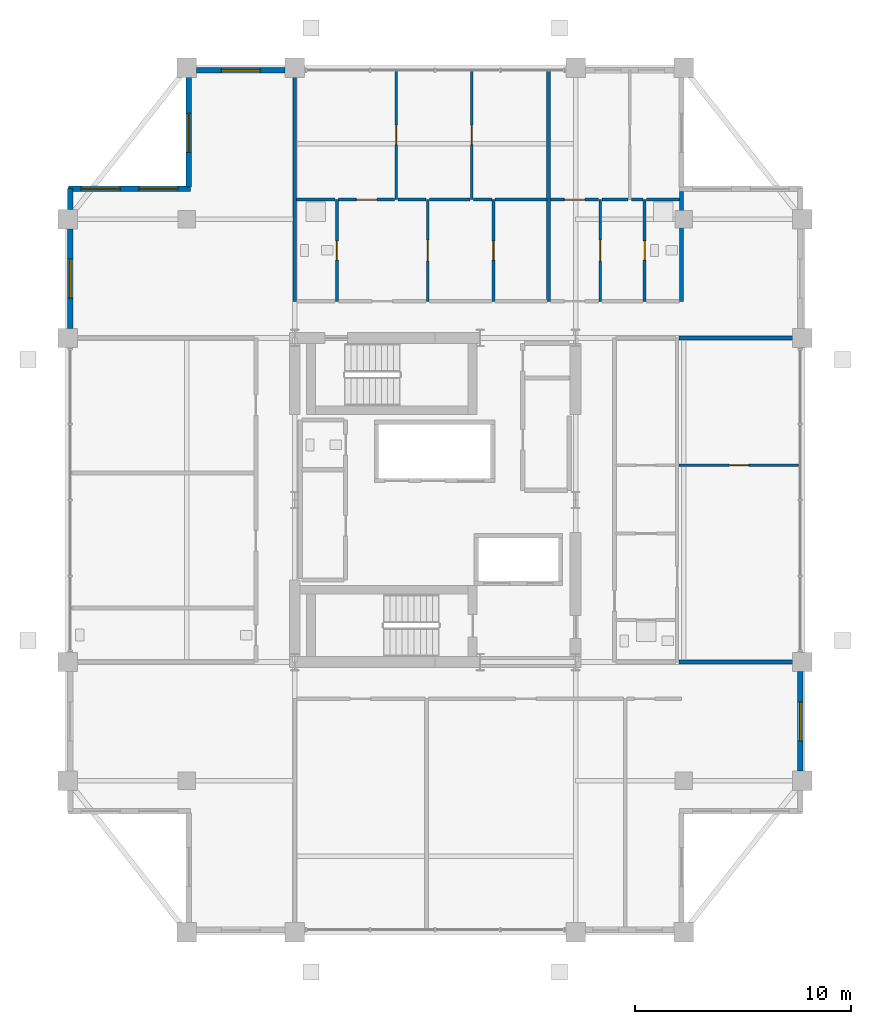
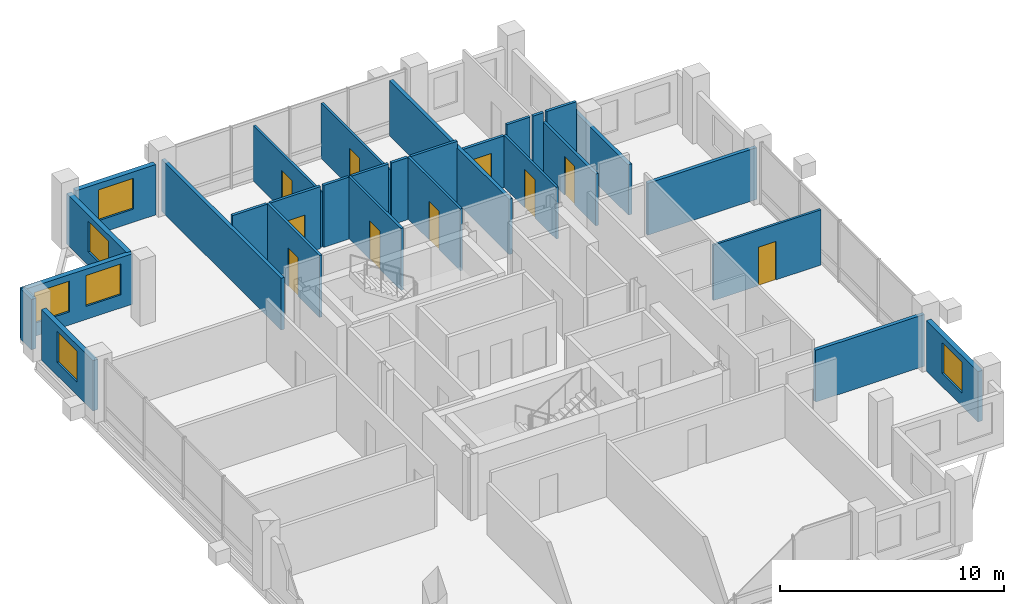
# One storey, part 18 of 21: 29 walls, 10 doors, 6 windows, 16 openings.
"""IFC4 building model written with IfcOpenShell, lengths in metres."""

from ifc_helpers import new_model, si_unit, direction, frame, frame_2d, origin, place, context, subcontext, project, spatial, rectangle, extrude, material, layer, layer_set, type_object, element, fill, save


model = new_model("IFC4")

# Units and contexts
model_context = context("Model", 3, precision=1e-05, world=origin(), true_north=direction((0.0, 1.0)))
body_context = subcontext(model_context, "Body", "Model", "MODEL_VIEW")
ifc_project = project(units=[si_unit("LENGTHUNIT", "METRE"), si_unit("AREAUNIT", "SQUARE_METRE"), si_unit("VOLUMEUNIT", "CUBIC_METRE"), si_unit("PLANEANGLEUNIT", "RADIAN"), si_unit("MASSUNIT", "GRAM", prefix="KILO")], contexts=[model_context])

# Site, building, storey
site_placement = place(None, origin())
site = spatial("IfcSite", under=ifc_project, at=site_placement, CompositionType="ELEMENT")
building_placement = place(site_placement, origin())
building = spatial("IfcBuilding", under=site, at=building_placement, Name="Barlavira Tower and Art Museum", CompositionType="ELEMENT")
storey_placement = place(building_placement, frame((0.0, 0.0, 276.300048828125)))
storey = spatial("IfcBuildingStorey", under=building, at=storey_placement, Name="L72", CompositionType="ELEMENT", Elevation=276.300048828125)

# Wall, opening, door
ifc_material_1 = material(Name="Gypsum acoustic stud partition", Category="gypsum")
ifc_layer_1 = layer(ifc_material_1, 0.1201171875, Name="Gypsum acoustic stud partition")
ifc_layer_set_1 = layer_set([ifc_layer_1], Name="Gypsum acoustic stud partition")
wall_type_1 = type_object("IfcWallType", Name="Apartment Internal Acoustic Partition 120", PredefinedType="PARTITIONING", material=ifc_layer_set_1)
wall_1_placement = place(storey_placement, frame((-1.800048828125, 13.89990234375, 0.0), z_axis=(0.0, 0.0, 1.0), x_axis=(0.0, 1.0, 0.0)))
wall_1 = element("IfcWall", 1, at=wall_1_placement, inside=storey, type_object=wall_type_1, Name="L72 Partition Wall 7", PredefinedType="PARTITIONING", context=body_context, shape_type="SweptSolid", body=[
    extrude(rectangle(XDim=6.0, YDim=0.1201171875, at=frame_2d((3.0, 0.0))), origin(), (0.0, 0.0, 1.0), 3.01806640625),
])
opening_1_placement = place(wall_1_placement, frame((2.550048828125, 0.0, 0.0)))
opening_1 = element("IfcOpeningElement", 2, at=opening_1_placement, cuts=wall_1, Name="Opening D-01", PredefinedType="OPENING", context=body_context, shape_type="SweptSolid", body=[
    extrude(rectangle(XDim=0.89990234375, YDim=2.10009765625, at=frame_2d((0.449951171875, 1.050048828125))), frame((0.0, 0.070068359375, 0.0), z_axis=(0.0, -1.0, 0.0), x_axis=(1.0, 0.0, 0.0)), (0.0, 0.0, 1.0), 0.14013671875),
])
ifc_material_2 = material(Name="Engineered coastal hardwood", Category="wood")
door_type_1 = type_object("IfcDoorType", Name="Internal Bedroom Timber Flush Door 900x2100", OperationType="NOTDEFINED", PredefinedType="DOOR", material=ifc_material_2)
door_1_placement = place(opening_1_placement, origin())
door_1 = element("IfcDoor", 3, at=door_1_placement, inside=storey, type_object=door_type_1, Name="Apartment N1 Bedroom 1 Door", OperationType="SINGLE_SWING_RIGHT", OverallHeight=2.10009765625, OverallWidth=0.89990234375, PredefinedType="DOOR", context=body_context, shape_type="SweptSolid", body=[
    extrude(rectangle(XDim=0.89990234375, YDim=2.10009765625, at=frame_2d((0.449951171875, 1.050048828125))), frame((0.0, 0.02490234375, 0.0), z_axis=(0.0, -1.0, 0.0), x_axis=(1.0, 0.0, 0.0)), (0.0, 0.0, 1.0), 0.050048828125),
])
fill(opening_1, door_1)

wall_2_placement = place(storey_placement, frame((-0.35009765625, 9.199951171875, 0.0), z_axis=(0.0, 0.0, 1.0), x_axis=(0.0, 1.0, 0.0)))
wall_2 = element("IfcWall", 4, at=wall_2_placement, inside=storey, type_object=wall_type_1, Name="L72 Partition Wall 9", PredefinedType="PARTITIONING", context=body_context, shape_type="SweptSolid", body=[
    extrude(rectangle(XDim=4.699951171875, YDim=0.1201171875, at=frame_2d((2.35009765625, 0.0))), origin(), (0.0, 0.0, 1.0), 3.3798828125),
])
opening_2_placement = place(wall_2_placement, frame((1.875, 0.0, 0.0)))
opening_2 = element("IfcOpeningElement", 5, at=opening_2_placement, cuts=wall_2, Name="Opening D-02", PredefinedType="OPENING", context=body_context, shape_type="SweptSolid", body=[
    extrude(rectangle(XDim=0.949951171875, YDim=2.10009765625, at=frame_2d((0.47509765625, 1.050048828125))), frame((0.0, 0.070068359375, 0.0), z_axis=(0.0, -1.0, 0.0), x_axis=(1.0, 0.0, 0.0)), (0.0, 0.0, 1.0), 0.14013671875),
])
door_type_2 = type_object("IfcDoorType", Name="Living and Salon Glazed-Leaf Door 950x2100", OperationType="NOTDEFINED", PredefinedType="DOOR", material=ifc_material_2)
door_2_placement = place(opening_2_placement, origin())
door_2 = element("IfcDoor", 6, at=door_2_placement, inside=storey, type_object=door_type_2, Name="Apartment N1 Kitchen Door", OperationType="SINGLE_SWING_LEFT", OverallHeight=2.10009765625, OverallWidth=0.949951171875, PredefinedType="DOOR", context=body_context, shape_type="SweptSolid", body=[
    extrude(rectangle(XDim=0.949951171875, YDim=2.10009765625, at=frame_2d((0.47509765625, 1.050048828125))), frame((0.0, 0.02490234375, 0.0), z_axis=(0.0, -1.0, 0.0), x_axis=(1.0, 0.0, 0.0)), (0.0, 0.0, 1.0), 0.050048828125),
])
fill(opening_2, door_2)

wall_3_placement = place(storey_placement, frame((1.699951171875, 13.89990234375, 0.0), z_axis=(0.0, 0.0, 1.0), x_axis=(0.0, 1.0, 0.0)))
wall_3 = element("IfcWall", 7, at=wall_3_placement, inside=storey, type_object=wall_type_1, Name="L72 Partition Wall 10", PredefinedType="PARTITIONING", context=body_context, shape_type="SweptSolid", body=[
    extrude(rectangle(XDim=6.0, YDim=0.1201171875, at=frame_2d((3.0, 0.0))), origin(), (0.0, 0.0, 1.0), 3.01806640625),
])
opening_3_placement = place(wall_3_placement, frame((2.550048828125, 0.0, 0.0)))
opening_3 = element("IfcOpeningElement", 8, at=opening_3_placement, cuts=wall_3, Name="Opening D-01", PredefinedType="OPENING", context=body_context, shape_type="SweptSolid", body=[
    extrude(rectangle(XDim=0.89990234375, YDim=2.10009765625, at=frame_2d((0.449951171875, 1.050048828125))), frame((0.0, 0.070068359375, 0.0), z_axis=(0.0, -1.0, 0.0), x_axis=(1.0, 0.0, 0.0)), (0.0, 0.0, 1.0), 0.14013671875),
])
door_3_placement = place(opening_3_placement, origin())
door_3 = element("IfcDoor", 9, at=door_3_placement, inside=storey, type_object=door_type_1, Name="Apartment N1 Bedroom 2 Door", OperationType="SINGLE_SWING_LEFT", OverallHeight=2.10009765625, OverallWidth=0.89990234375, PredefinedType="DOOR", context=body_context, shape_type="SweptSolid", body=[
    extrude(rectangle(XDim=0.89990234375, YDim=2.10009765625, at=frame_2d((0.449951171875, 1.050048828125))), frame((0.0, 0.02490234375, 0.0), z_axis=(0.0, -1.0, 0.0), x_axis=(1.0, 0.0, 0.0)), (0.0, 0.0, 1.0), 0.050048828125),
])
fill(opening_3, door_3)

wall_4_placement = place(storey_placement, frame((2.699951171875, 9.199951171875, 0.0), z_axis=(0.0, 0.0, 1.0), x_axis=(0.0, 1.0, 0.0)))
wall_4 = element("IfcWall", 10, at=wall_4_placement, inside=storey, type_object=wall_type_1, Name="L72 Partition Wall 11", PredefinedType="PARTITIONING", context=body_context, shape_type="SweptSolid", body=[
    extrude(rectangle(XDim=4.699951171875, YDim=0.1201171875, at=frame_2d((2.35009765625, 0.0))), origin(), (0.0, 0.0, 1.0), 3.3798828125),
])
opening_4_placement = place(wall_4_placement, frame((1.89990234375, 0.0, 0.0)))
opening_4 = element("IfcOpeningElement", 11, at=opening_4_placement, cuts=wall_4, Name="Opening D-01", PredefinedType="OPENING", context=body_context, shape_type="SweptSolid", body=[
    extrude(rectangle(XDim=0.89990234375, YDim=2.10009765625, at=frame_2d((0.449951171875, 1.050048828125))), frame((0.0, 0.070068359375, 0.0), z_axis=(0.0, -1.0, 0.0), x_axis=(1.0, 0.0, 0.0)), (0.0, 0.0, 1.0), 0.14013671875),
])
door_4_placement = place(opening_4_placement, origin())
door_4 = element("IfcDoor", 12, at=door_4_placement, inside=storey, type_object=door_type_1, Name="Apartment N1 Walk-In Dressing Room Door", OperationType="SINGLE_SWING_RIGHT", OverallHeight=2.10009765625, OverallWidth=0.89990234375, PredefinedType="DOOR", context=body_context, shape_type="SweptSolid", body=[
    extrude(rectangle(XDim=0.89990234375, YDim=2.10009765625, at=frame_2d((0.449951171875, 1.050048828125))), frame((0.0, 0.02490234375, 0.0), z_axis=(0.0, -1.0, 0.0), x_axis=(1.0, 0.0, 0.0)), (0.0, 0.0, 1.0), 0.050048828125),
])
fill(opening_4, door_4)

wall_5_placement = place(storey_placement, frame((7.64990234375, 9.199951171875, 0.0), z_axis=(0.0, 0.0, 1.0), x_axis=(0.0, 1.0, 0.0)))
wall_5 = element("IfcWall", 13, at=wall_5_placement, inside=storey, type_object=wall_type_1, Name="L72 Partition Wall 15", PredefinedType="PARTITIONING", context=body_context, shape_type="SweptSolid", body=[
    extrude(rectangle(XDim=4.699951171875, YDim=0.1201171875, at=frame_2d((2.35009765625, 0.0))), origin(), (0.0, 0.0, 1.0), 2.825927734375),
])
opening_5_placement = place(wall_5_placement, frame((1.875, 0.0, 0.0)))
opening_5 = element("IfcOpeningElement", 14, at=opening_5_placement, cuts=wall_5, Name="Opening D-02", PredefinedType="OPENING", context=body_context, shape_type="SweptSolid", body=[
    extrude(rectangle(XDim=0.949951171875, YDim=2.10009765625, at=frame_2d((0.47509765625, 1.050048828125))), frame((0.0, 0.070068359375, 0.0), z_axis=(0.0, -1.0, 0.0), x_axis=(1.0, 0.0, 0.0)), (0.0, 0.0, 1.0), 0.14013671875),
])
door_5_placement = place(opening_5_placement, origin())
door_5 = element("IfcDoor", 15, at=door_5_placement, inside=storey, type_object=door_type_2, Name="Apartment N2 Kitchen Door", OperationType="SINGLE_SWING_LEFT", OverallHeight=2.10009765625, OverallWidth=0.949951171875, PredefinedType="DOOR", context=body_context, shape_type="SweptSolid", body=[
    extrude(rectangle(XDim=0.949951171875, YDim=2.10009765625, at=frame_2d((0.47509765625, 1.050048828125))), frame((0.0, 0.02490234375, 0.0), z_axis=(0.0, -1.0, 0.0), x_axis=(1.0, 0.0, 0.0)), (0.0, 0.0, 1.0), 0.050048828125),
])
fill(opening_5, door_5)

wall_6_placement = place(storey_placement, frame((11.280029296875, 1.60009765625, 0.0), z_axis=(0.0, 0.0, 1.0), x_axis=(1.0, 0.0, 0.0)))
wall_6 = element("IfcWall", 16, at=wall_6_placement, inside=storey, type_object=wall_type_1, Name="L72 Partition Wall 36", PredefinedType="PARTITIONING", context=body_context, shape_type="SweptSolid", body=[
    extrude(rectangle(XDim=5.5400390625, YDim=0.1201171875, at=frame_2d((2.77001953125, 0.0))), origin(), (0.0, 0.0, 1.0), 3.01806640625),
])
opening_6_placement = place(wall_6_placement, frame((2.330078125, 0.0, 0.0)))
opening_6 = element("IfcOpeningElement", 17, at=opening_6_placement, cuts=wall_6, Name="Opening D-01", PredefinedType="OPENING", context=body_context, shape_type="SweptSolid", body=[
    extrude(rectangle(XDim=0.89990234375, YDim=2.10009765625, at=frame_2d((0.449951171875, 1.050048828125))), frame((0.0, 0.070068359375, 0.0), z_axis=(0.0, -1.0, 0.0), x_axis=(1.0, 0.0, 0.0)), (0.0, 0.0, 1.0), 0.14013671875),
])
door_6_placement = place(opening_6_placement, origin())
door_6 = element("IfcDoor", 18, at=door_6_placement, inside=storey, type_object=door_type_1, Name="Apartment E1 Bedroom 1 Door", OperationType="SINGLE_SWING_LEFT", OverallHeight=2.10009765625, OverallWidth=0.89990234375, PredefinedType="DOOR", context=body_context, shape_type="SweptSolid", body=[
    extrude(rectangle(XDim=0.89990234375, YDim=2.10009765625, at=frame_2d((0.449951171875, 1.050048828125))), frame((0.0, 0.02490234375, 0.0), z_axis=(0.0, -1.0, 0.0), x_axis=(1.0, 0.0, 0.0)), (0.0, 0.0, 1.0), 0.050048828125),
])
fill(opening_6, door_6)

# Walls
ifc_layer_2 = layer(ifc_material_1, 0.179931640625, Name="Gypsum acoustic stud partition")
ifc_layer_set_2 = layer_set([ifc_layer_2], Name="Gypsum acoustic stud partition")
wall_type_2 = type_object("IfcWallType", Name="Inter-Tenancy Party Partition Wall 180", PredefinedType="PARTITIONING", material=ifc_layer_set_2)
wall_7_placement = place(storey_placement, frame((-6.5, 9.199951171875, 0.0), z_axis=(0.0, 0.0, 1.0), x_axis=(0.0, 1.0, 0.0)))
element("IfcWall", 19, at=wall_7_placement, inside=storey, type_object=wall_type_2, Name="L72 Partition Wall 3", PredefinedType="PARTITIONING", context=body_context, shape_type="SweptSolid", body=[
    extrude(rectangle(XDim=10.699951171875, YDim=0.179931640625, at=frame_2d((5.35009765625, 0.0))), origin(), (0.0, 0.0, 1.0), 2.825927734375),
])
wall_8_placement = place(storey_placement, frame((5.25, 9.199951171875, 0.0), z_axis=(0.0, 0.0, 1.0), x_axis=(0.0, 1.0, 0.0)))
element("IfcWall", 20, at=wall_8_placement, inside=storey, type_object=wall_type_2, Name="L72 Partition Wall 13", PredefinedType="PARTITIONING", context=body_context, shape_type="SweptSolid", body=[
    extrude(rectangle(XDim=10.699951171875, YDim=0.179931640625, at=frame_2d((5.35009765625, 0.0))), origin(), (0.0, 0.0, 1.0), 3.01806640625),
])
wall_9_placement = place(storey_placement, frame((11.39990234375, 9.199951171875, 0.0), z_axis=(0.0, 0.0, 1.0), x_axis=(0.0, 1.0, 0.0)))
element("IfcWall", 21, at=wall_9_placement, inside=storey, type_object=wall_type_2, Name="L72 Partition Wall 21", PredefinedType="PARTITIONING", context=body_context, shape_type="SweptSolid", body=[
    extrude(rectangle(XDim=5.070068359375, YDim=0.179931640625, at=frame_2d((2.53515625, 0.0))), origin(), (0.0, 0.0, 1.0), 2.748046875),
])
for number, where, z_axis, x_axis, name in (
    (22, (11.280029296875, -7.5, 0.0), (0.0, 0.0, 1.0), (1.0, 0.0, 0.0), "L72 Partition Wall 27"),
    (23, (11.280029296875, 7.5, 0.0), (0.0, 0.0, 1.0), (1.0, 0.0, 0.0), "L72 Partition Wall 42"),
):
    element("IfcWall", number, at=place(storey_placement, frame(where, z_axis=z_axis, x_axis=x_axis)), inside=storey, type_object=wall_type_2, Name=name, PredefinedType="PARTITIONING", context=body_context, shape_type="SweptSolid", body=[
        extrude(rectangle(XDim=5.619873046875, YDim=0.179931640625, at=frame_2d((2.81005859375, 0.0))), origin(), (0.0, 0.0, 1.0), 2.825927734375),
    ])

# Wall, opening, door
ifc_layer_3 = layer(ifc_material_1, 0.139892578125, Name="Gypsum acoustic stud partition")
ifc_layer_set_3 = layer_set([ifc_layer_3], Name="Gypsum acoustic stud partition")
wall_type_3 = type_object("IfcWallType", Name="Moisture-Resistant Bathroom Partition 140", PredefinedType="PARTITIONING", material=ifc_layer_set_3)
wall_10_placement = place(storey_placement, frame((-4.550048828125, 9.199951171875, 0.0), z_axis=(0.0, 0.0, 1.0), x_axis=(0.0, 1.0, 0.0)))
wall_10 = element("IfcWall", 24, at=wall_10_placement, inside=storey, type_object=wall_type_3, Name="L72 Partition Wall 5", PredefinedType="PARTITIONING", context=body_context, shape_type="SweptSolid", body=[
    extrude(rectangle(XDim=4.699951171875, YDim=0.139892578125, at=frame_2d((2.35009765625, 0.0))), origin(), (0.0, 0.0, 1.0), 3.3798828125),
])
opening_7_placement = place(wall_10_placement, frame((1.89990234375, 0.0, 0.0)))
opening_7 = element("IfcOpeningElement", 25, at=opening_7_placement, cuts=wall_10, Name="Opening D-WC", PredefinedType="OPENING", context=body_context, shape_type="SweptSolid", body=[
    extrude(rectangle(XDim=0.89990234375, YDim=2.10009765625, at=frame_2d((0.449951171875, 1.050048828125))), frame((0.0, 0.080078125, 0.0), z_axis=(0.0, -1.0, 0.0), x_axis=(1.0, 0.0, 0.0)), (0.0, 0.0, 1.0), 0.159912109375),
])
door_type_3 = type_object("IfcDoorType", Name="Accessible Bathroom Flush Door 900x2100", OperationType="NOTDEFINED", PredefinedType="DOOR", material=ifc_material_2)
door_7_placement = place(opening_7_placement, origin())
door_7 = element("IfcDoor", 26, at=door_7_placement, inside=storey, type_object=door_type_3, Name="Apartment N1 Hall Bathroom Door", OperationType="SINGLE_SWING_LEFT", OverallHeight=2.10009765625, OverallWidth=0.89990234375, PredefinedType="DOOR", context=body_context, shape_type="SweptSolid", body=[
    extrude(rectangle(XDim=0.89990234375, YDim=2.10009765625, at=frame_2d((0.449951171875, 1.050048828125))), frame((0.0, 0.02490234375, 0.0), z_axis=(0.0, -1.0, 0.0), x_axis=(1.0, 0.0, 0.0)), (0.0, 0.0, 1.0), 0.050048828125),
])
fill(opening_7, door_7)

wall_11_placement = place(storey_placement, frame((9.699951171875, 9.199951171875, 0.0), z_axis=(0.0, 0.0, 1.0), x_axis=(0.0, 1.0, 0.0)))
wall_11 = element("IfcWall", 27, at=wall_11_placement, inside=storey, type_object=wall_type_3, Name="L72 Partition Wall 19", PredefinedType="PARTITIONING", context=body_context, shape_type="SweptSolid", body=[
    extrude(rectangle(XDim=4.699951171875, YDim=0.139892578125, at=frame_2d((2.35009765625, 0.0))), origin(), (0.0, 0.0, 1.0), 2.825927734375),
])
opening_8_placement = place(wall_11_placement, frame((1.89990234375, 0.0, 0.0)))
opening_8 = element("IfcOpeningElement", 28, at=opening_8_placement, cuts=wall_11, Name="Opening D-WC", PredefinedType="OPENING", context=body_context, shape_type="SweptSolid", body=[
    extrude(rectangle(XDim=0.89990234375, YDim=2.10009765625, at=frame_2d((0.449951171875, 1.050048828125))), frame((0.0, 0.080078125, 0.0), z_axis=(0.0, -1.0, 0.0), x_axis=(1.0, 0.0, 0.0)), (0.0, 0.0, 1.0), 0.159912109375),
])
door_8_placement = place(opening_8_placement, origin())
door_8 = element("IfcDoor", 29, at=door_8_placement, inside=storey, type_object=door_type_3, Name="Apartment N2 Hall Bathroom Door", OperationType="SINGLE_SWING_RIGHT", OverallHeight=2.10009765625, OverallWidth=0.89990234375, PredefinedType="DOOR", context=body_context, shape_type="SweptSolid", body=[
    extrude(rectangle(XDim=0.89990234375, YDim=2.10009765625, at=frame_2d((0.449951171875, 1.050048828125))), frame((0.0, 0.02490234375, 0.0), z_axis=(0.0, -1.0, 0.0), x_axis=(1.0, 0.0, 0.0)), (0.0, 0.0, 1.0), 0.050048828125),
])
fill(opening_8, door_8)

# Wall
wall_12_placement = place(storey_placement, frame((-6.419921875, 13.89990234375, 0.0), z_axis=(0.0, 0.0, 1.0), x_axis=(1.0, 0.0, 0.0)))
element("IfcWall", 30, at=wall_12_placement, inside=storey, type_object=wall_type_3, Name="L72 Partition Wall 50", PredefinedType="PARTITIONING", context=body_context, shape_type="SweptSolid", body=[
    extrude(rectangle(XDim=1.7900390625, YDim=0.139892578125, at=frame_2d((0.89501953125, 0.0))), origin(), (0.0, 0.0, 1.0), 3.3798828125),
])

# Wall, opening, door
wall_13_placement = place(storey_placement, frame((-4.469970703125, 13.89990234375, 0.0), z_axis=(0.0, 0.0, 1.0), x_axis=(1.0, 0.0, 0.0)))
wall_13 = element("IfcWall", 31, at=wall_13_placement, inside=storey, type_object=wall_type_3, Name="L72 Partition Wall 51", PredefinedType="PARTITIONING", context=body_context, shape_type="SweptSolid", body=[
    extrude(rectangle(XDim=2.590087890625, YDim=0.139892578125, at=frame_2d((1.294921875, 0.0))), origin(), (0.0, 0.0, 1.0), 3.3798828125),
])
opening_9_placement = place(wall_13_placement, frame((0.824951171875, 0.0, 0.0)))
opening_9 = element("IfcOpeningElement", 32, at=opening_9_placement, cuts=wall_13, Name="Opening D-02", PredefinedType="OPENING", context=body_context, shape_type="SweptSolid", body=[
    extrude(rectangle(XDim=0.949951171875, YDim=2.10009765625, at=frame_2d((0.47509765625, 1.050048828125))), frame((0.0, 0.080078125, 0.0), z_axis=(0.0, -1.0, 0.0), x_axis=(1.0, 0.0, 0.0)), (0.0, 0.0, 1.0), 0.159912109375),
])
door_9_placement = place(opening_9_placement, origin())
door_9 = element("IfcDoor", 33, at=door_9_placement, inside=storey, type_object=door_type_2, Name="Apartment N1 Living Lounge Door", OperationType="SINGLE_SWING_LEFT", OverallHeight=2.10009765625, OverallWidth=0.949951171875, PredefinedType="DOOR", context=body_context, shape_type="SweptSolid", body=[
    extrude(rectangle(XDim=0.949951171875, YDim=2.10009765625, at=frame_2d((0.47509765625, 1.050048828125))), frame((0.0, 0.02490234375, 0.0), z_axis=(0.0, -1.0, 0.0), x_axis=(1.0, 0.0, 0.0)), (0.0, 0.0, 1.0), 0.050048828125),
])
fill(opening_9, door_9)

# Walls
wall_14_placement = place(storey_placement, frame((-1.719970703125, 13.89990234375, 0.0), z_axis=(0.0, 0.0, 1.0), x_axis=(1.0, 0.0, 0.0)))
element("IfcWall", 34, at=wall_14_placement, inside=storey, type_object=wall_type_3, Name="L72 Partition Wall 52", PredefinedType="PARTITIONING", context=body_context, shape_type="SweptSolid", body=[
    extrude(rectangle(XDim=1.2900390625, YDim=0.139892578125, at=frame_2d((0.64501953125, 0.0))), origin(), (0.0, 0.0, 1.0), 3.3798828125),
])
wall_15_placement = place(storey_placement, frame((-0.27001953125, 13.89990234375, 0.0), z_axis=(0.0, 0.0, 1.0), x_axis=(1.0, 0.0, 0.0)))
element("IfcWall", 35, at=wall_15_placement, inside=storey, type_object=wall_type_3, Name="L72 Partition Wall 53", PredefinedType="PARTITIONING", context=body_context, shape_type="SweptSolid", body=[
    extrude(rectangle(XDim=1.89013671875, YDim=0.139892578125, at=frame_2d((0.945068359375, 0.0))), origin(), (0.0, 0.0, 1.0), 3.3798828125),
])
wall_16_placement = place(storey_placement, frame((1.780029296875, 13.89990234375, 0.0), z_axis=(0.0, 0.0, 1.0), x_axis=(1.0, 0.0, 0.0)))
element("IfcWall", 36, at=wall_16_placement, inside=storey, type_object=wall_type_3, Name="L72 Partition Wall 54", PredefinedType="PARTITIONING", context=body_context, shape_type="SweptSolid", body=[
    extrude(rectangle(XDim=0.840087890625, YDim=0.139892578125, at=frame_2d((0.419921875, 0.0))), origin(), (0.0, 0.0, 1.0), 3.3798828125),
])
wall_17_placement = place(storey_placement, frame((2.780029296875, 13.89990234375, 0.0), z_axis=(0.0, 0.0, 1.0), x_axis=(1.0, 0.0, 0.0)))
element("IfcWall", 37, at=wall_17_placement, inside=storey, type_object=wall_type_3, Name="L72 Partition Wall 55", PredefinedType="PARTITIONING", context=body_context, shape_type="SweptSolid", body=[
    extrude(rectangle(XDim=2.389892578125, YDim=0.139892578125, at=frame_2d((1.19482421875, 0.0))), origin(), (0.0, 0.0, 1.0), 3.3798828125),
])

# Wall, opening, door
wall_18_placement = place(storey_placement, frame((5.330078125, 13.89990234375, 0.0), z_axis=(0.0, 0.0, 1.0), x_axis=(1.0, 0.0, 0.0)))
wall_18 = element("IfcWall", 38, at=wall_18_placement, inside=storey, type_object=wall_type_3, Name="L72 Partition Wall 56", PredefinedType="PARTITIONING", context=body_context, shape_type="SweptSolid", body=[
    extrude(rectangle(XDim=2.239990234375, YDim=0.139892578125, at=frame_2d((1.1201171875, 0.0))), origin(), (0.0, 0.0, 1.0), 2.825927734375),
])
opening_10_placement = place(wall_18_placement, frame((0.64501953125, 0.0, 0.0)))
opening_10 = element("IfcOpeningElement", 39, at=opening_10_placement, cuts=wall_18, Name="Opening D-02", PredefinedType="OPENING", context=body_context, shape_type="SweptSolid", body=[
    extrude(rectangle(XDim=0.949951171875, YDim=2.10009765625, at=frame_2d((0.47509765625, 1.050048828125))), frame((0.0, 0.080078125, 0.0), z_axis=(0.0, -1.0, 0.0), x_axis=(1.0, 0.0, 0.0)), (0.0, 0.0, 1.0), 0.159912109375),
])
door_10_placement = place(opening_10_placement, origin())
door_10 = element("IfcDoor", 40, at=door_10_placement, inside=storey, type_object=door_type_2, Name="Apartment N2 Living Lounge Door", OperationType="SINGLE_SWING_LEFT", OverallHeight=2.10009765625, OverallWidth=0.949951171875, PredefinedType="DOOR", context=body_context, shape_type="SweptSolid", body=[
    extrude(rectangle(XDim=0.949951171875, YDim=2.10009765625, at=frame_2d((0.47509765625, 1.050048828125))), frame((0.0, 0.02490234375, 0.0), z_axis=(0.0, -1.0, 0.0), x_axis=(1.0, 0.0, 0.0)), (0.0, 0.0, 1.0), 0.050048828125),
])
fill(opening_10, door_10)

# Walls
wall_19_placement = place(storey_placement, frame((7.72998046875, 13.89990234375, 0.0), z_axis=(0.0, 0.0, 1.0), x_axis=(1.0, 0.0, 0.0)))
element("IfcWall", 41, at=wall_19_placement, inside=storey, type_object=wall_type_3, Name="L72 Partition Wall 57", PredefinedType="PARTITIONING", context=body_context, shape_type="SweptSolid", body=[
    extrude(rectangle(XDim=1.18994140625, YDim=0.139892578125, at=frame_2d((0.594970703125, 0.0))), origin(), (0.0, 0.0, 1.0), 3.3798828125),
])
wall_20_placement = place(storey_placement, frame((9.080078125, 13.89990234375, 0.0), z_axis=(0.0, 0.0, 1.0), x_axis=(1.0, 0.0, 0.0)))
element("IfcWall", 42, at=wall_20_placement, inside=storey, type_object=wall_type_3, Name="L72 Partition Wall 58", PredefinedType="PARTITIONING", context=body_context, shape_type="SweptSolid", body=[
    extrude(rectangle(XDim=0.5400390625, YDim=0.139892578125, at=frame_2d((0.27001953125, 0.0))), origin(), (0.0, 0.0, 1.0), 3.3798828125),
])
wall_21_placement = place(storey_placement, frame((9.780029296875, 13.89990234375, 0.0), z_axis=(0.0, 0.0, 1.0), x_axis=(1.0, 0.0, 0.0)))
element("IfcWall", 43, at=wall_21_placement, inside=storey, type_object=wall_type_3, Name="L72 Partition Wall 59", PredefinedType="PARTITIONING", context=body_context, shape_type="SweptSolid", body=[
    extrude(rectangle(XDim=1.5400390625, YDim=0.139892578125, at=frame_2d((0.77001953125, 0.0))), origin(), (0.0, 0.0, 1.0), 3.3798828125),
])

# Wall, opening, window
ifc_material_3 = material(Name="Precast concrete C40", Category="concrete")
ifc_layer_4 = layer(ifc_material_3, 0.25, Name="Precast concrete C40")
ifc_layer_set_4 = layer_set([ifc_layer_4], Name="Precast concrete C40")
wall_type_4 = type_object("IfcWallType", Name="Notched Corner Spandrel Wall 250 Precast Concrete C40", PredefinedType="SOLIDWALL", material=ifc_layer_set_4)
wall_22_placement = place(storey_placement, frame((-6.945068359375, 19.89990234375, 0.0), z_axis=(0.0, 0.0, 1.0), x_axis=(-1.0, 0.0, 0.0)))
wall_22 = element("IfcWall", 44, at=wall_22_placement, inside=storey, type_object=wall_type_4, Name="L72 Coastal Facade Pier Wall CW4-L72-N-3", PredefinedType="SOLIDWALL", context=body_context, shape_type="SweptSolid", body=[
    extrude(rectangle(XDim=4.10986328125, YDim=0.25, at=frame_2d((2.054931640625, 0.0))), origin(), (0.0, 0.0, 1.0), 2.748046875),
])
opening_11_placement = place(wall_22_placement, frame((1.155029296875, 0.0, 0.719970703125)))
opening_11 = element("IfcOpeningElement", 45, at=opening_11_placement, cuts=wall_22, Name="Opening WN-01", PredefinedType="OPENING", context=body_context, shape_type="SweptSolid", body=[
    extrude(rectangle(XDim=1.800048828125, YDim=1.679931640625, at=frame_2d((0.89990234375, 0.83984375))), frame((0.0, 0.135009765625, 0.0), z_axis=(0.0, -1.0, 0.0), x_axis=(1.0, 0.0, 0.0)), (0.0, 0.0, 1.0), 0.27001953125),
])
ifc_material_4 = material(Name="Low-iron coastal laminated glass", Category="glass")
window_type = type_object("IfcWindowType", Name="Recessed Notch Corner Punch Window 1800x1680", PartitioningType="SINGLE_PANEL", PredefinedType="WINDOW", material=ifc_material_4)
window_1_placement = place(opening_11_placement, origin())
window_1 = element("IfcWindow", 46, at=window_1_placement, inside=storey, type_object=window_type, Name="L72 Punched Facade Window EWP-CW4-L72-N-3-1", OverallHeight=1.679931640625, OverallWidth=1.800048828125, PartitioningType="SINGLE_PANEL", PredefinedType="WINDOW", context=body_context, shape_type="SweptSolid", body=[
    extrude(rectangle(XDim=1.800048828125, YDim=1.679931640625, at=frame_2d((0.89990234375, 0.83984375))), frame((0.0, 0.030029296875, 0.0), z_axis=(0.0, -1.0, 0.0), x_axis=(1.0, 0.0, 0.0)), (0.0, 0.0, 1.0), 0.06005859375),
])
fill(opening_11, window_1)

# Wall
wall_23_placement = place(storey_placement, frame((-16.89990234375, 14.425048828125, 0.0), z_axis=(0.0, 0.0, 1.0), x_axis=(0.0, -1.0, 0.0)))
element("IfcWall", 47, at=wall_23_placement, inside=storey, type_object=wall_type_4, Name="L72 Coastal Facade Pier Wall CW4-L72-W-1", PredefinedType="SOLIDWALL", context=body_context, shape_type="SweptSolid", body=[
    extrude(rectangle(XDim=0.97998046875, YDim=0.25, at=frame_2d((0.489990234375, 0.0))), origin(), (0.0, 0.0, 1.0), 2.748046875),
])

# Wall, opening, window
wall_24_placement = place(storey_placement, frame((-16.89990234375, 12.554931640625, 0.0), z_axis=(0.0, 0.0, 1.0), x_axis=(0.0, -1.0, 0.0)))
wall_24 = element("IfcWall", 48, at=wall_24_placement, inside=storey, type_object=wall_type_4, Name="L72 Coastal Facade Pier Wall CW4-L72-W-2", PredefinedType="SOLIDWALL", context=body_context, shape_type="SweptSolid", body=[
    extrude(rectangle(XDim=4.60986328125, YDim=0.25, at=frame_2d((2.304931640625, 0.0))), origin(), (0.0, 0.0, 1.0), 2.748046875),
])
opening_12_placement = place(wall_24_placement, frame((1.405029296875, 0.0, 0.719970703125)))
opening_12 = element("IfcOpeningElement", 49, at=opening_12_placement, cuts=wall_24, Name="Opening WN-01", PredefinedType="OPENING", context=body_context, shape_type="SweptSolid", body=[
    extrude(rectangle(XDim=1.800048828125, YDim=1.679931640625, at=frame_2d((0.89990234375, 0.83984375))), frame((0.0, 0.135009765625, 0.0), z_axis=(0.0, -1.0, 0.0), x_axis=(1.0, 0.0, 0.0)), (0.0, 0.0, 1.0), 0.27001953125),
])
window_2_placement = place(opening_12_placement, origin())
window_2 = element("IfcWindow", 50, at=window_2_placement, inside=storey, type_object=window_type, Name="L72 Punched Facade Window EWP-CW4-L72-W-2-1", OverallHeight=1.679931640625, OverallWidth=1.800048828125, PartitioningType="SINGLE_PANEL", PredefinedType="WINDOW", context=body_context, shape_type="SweptSolid", body=[
    extrude(rectangle(XDim=1.800048828125, YDim=1.679931640625, at=frame_2d((0.89990234375, 0.83984375))), frame((0.0, 0.030029296875, 0.0), z_axis=(0.0, -1.0, 0.0), x_axis=(1.0, 0.0, 0.0)), (0.0, 0.0, 1.0), 0.06005859375),
])
fill(opening_12, window_2)

wall_25_placement = place(storey_placement, frame((16.89990234375, -12.554931640625, 0.0), z_axis=(0.0, 0.0, 1.0), x_axis=(0.0, 1.0, 0.0)))
wall_25 = element("IfcWall", 51, at=wall_25_placement, inside=storey, type_object=wall_type_4, Name="L72 Coastal Facade Pier Wall CW4-L72-E-2", PredefinedType="SOLIDWALL", context=body_context, shape_type="SweptSolid", body=[
    extrude(rectangle(XDim=4.60986328125, YDim=0.25, at=frame_2d((2.304931640625, 0.0))), origin(), (0.0, 0.0, 1.0), 2.748046875),
])
opening_13_placement = place(wall_25_placement, frame((1.405029296875, 0.0, 0.719970703125)))
opening_13 = element("IfcOpeningElement", 52, at=opening_13_placement, cuts=wall_25, Name="Opening WN-01", PredefinedType="OPENING", context=body_context, shape_type="SweptSolid", body=[
    extrude(rectangle(XDim=1.800048828125, YDim=1.679931640625, at=frame_2d((0.89990234375, 0.83984375))), frame((0.0, 0.135009765625, 0.0), z_axis=(0.0, -1.0, 0.0), x_axis=(1.0, 0.0, 0.0)), (0.0, 0.0, 1.0), 0.27001953125),
])
window_3_placement = place(opening_13_placement, origin())
window_3 = element("IfcWindow", 53, at=window_3_placement, inside=storey, type_object=window_type, Name="L72 Punched Facade Window EWP-CW4-L72-E-2-1", OverallHeight=1.679931640625, OverallWidth=1.800048828125, PartitioningType="SINGLE_PANEL", PredefinedType="WINDOW", context=body_context, shape_type="SweptSolid", body=[
    extrude(rectangle(XDim=1.800048828125, YDim=1.679931640625, at=frame_2d((0.89990234375, 0.83984375))), frame((0.0, 0.030029296875, 0.0), z_axis=(0.0, -1.0, 0.0), x_axis=(1.0, 0.0, 0.0)), (0.0, 0.0, 1.0), 0.06005859375),
])
fill(opening_13, window_3)

wall_26_placement = place(storey_placement, frame((-11.39990234375, 19.820068359375, 0.0), z_axis=(0.0, 0.0, 1.0), x_axis=(0.0, -1.0, 0.0)))
wall_26 = element("IfcWall", 54, at=wall_26_placement, inside=storey, type_object=wall_type_4, Name="L72 Notch Corner Wall NW1", PredefinedType="SOLIDWALL", context=body_context, shape_type="SweptSolid", body=[
    extrude(rectangle(XDim=5.340087890625, YDim=0.25, at=frame_2d((2.669921875, 0.0))), origin(), (0.0, 0.0, 1.0), 2.748046875),
])
opening_14_placement = place(wall_26_placement, frame((1.925048828125, 0.0, 0.719970703125)))
opening_14 = element("IfcOpeningElement", 55, at=opening_14_placement, cuts=wall_26, Name="Opening WN-01", PredefinedType="OPENING", context=body_context, shape_type="SweptSolid", body=[
    extrude(rectangle(XDim=1.800048828125, YDim=1.679931640625, at=frame_2d((0.89990234375, 0.83984375))), frame((0.0, 0.135009765625, 0.0), z_axis=(0.0, -1.0, 0.0), x_axis=(1.0, 0.0, 0.0)), (0.0, 0.0, 1.0), 0.27001953125),
])
window_4_placement = place(opening_14_placement, origin())
window_4 = element("IfcWindow", 56, at=window_4_placement, inside=storey, type_object=window_type, Name="L72 Punched Facade Window EW-NTC-L72-NW1-1", OverallHeight=1.679931640625, OverallWidth=1.800048828125, PartitioningType="SINGLE_PANEL", PredefinedType="WINDOW", context=body_context, shape_type="SweptSolid", body=[
    extrude(rectangle(XDim=1.800048828125, YDim=1.679931640625, at=frame_2d((0.89990234375, 0.83984375))), frame((0.0, 0.030029296875, 0.0), z_axis=(0.0, -1.0, 0.0), x_axis=(1.0, 0.0, 0.0)), (0.0, 0.0, 1.0), 0.06005859375),
])
fill(opening_14, window_4)

# Wall, openings, windows
wall_27_placement = place(storey_placement, frame((-11.320068359375, 14.39990234375, 0.0), z_axis=(0.0, 0.0, 1.0), x_axis=(-1.0, 0.0, 0.0)))
wall_27 = element("IfcWall", 57, at=wall_27_placement, inside=storey, type_object=wall_type_4, Name="L72 Notch Corner Wall NW2", PredefinedType="SOLIDWALL", context=body_context, shape_type="SweptSolid", body=[
    extrude(rectangle(XDim=5.659912109375, YDim=0.25, at=frame_2d((2.830078125, 0.0))), origin(), (0.0, 0.0, 1.0), 2.748046875),
])
opening_15_placement = place(wall_27_placement, frame((0.594970703125, 0.0, 0.719970703125)))
opening_15 = element("IfcOpeningElement", 58, at=opening_15_placement, cuts=wall_27, Name="Opening WN-01", PredefinedType="OPENING", context=body_context, shape_type="SweptSolid", body=[
    extrude(rectangle(XDim=1.800048828125, YDim=1.679931640625, at=frame_2d((0.89990234375, 0.83984375))), frame((0.0, 0.135009765625, 0.0), z_axis=(0.0, -1.0, 0.0), x_axis=(1.0, 0.0, 0.0)), (0.0, 0.0, 1.0), 0.27001953125),
])
opening_16_placement = place(wall_27_placement, frame((3.264892578125, 0.0, 0.719970703125)))
opening_16 = element("IfcOpeningElement", 59, at=opening_16_placement, cuts=wall_27, Name="Opening WN-01", PredefinedType="OPENING", context=body_context, shape_type="SweptSolid", body=[
    extrude(rectangle(XDim=1.800048828125, YDim=1.679931640625, at=frame_2d((0.89990234375, 0.83984375))), frame((0.0, 0.135009765625, 0.0), z_axis=(0.0, -1.0, 0.0), x_axis=(1.0, 0.0, 0.0)), (0.0, 0.0, 1.0), 0.27001953125),
])
window_5_placement = place(opening_15_placement, origin())
window_5 = element("IfcWindow", 60, at=window_5_placement, inside=storey, type_object=window_type, Name="L72 Punched Facade Window EW-NTC-L72-NW2-1", OverallHeight=1.679931640625, OverallWidth=1.800048828125, PartitioningType="SINGLE_PANEL", PredefinedType="WINDOW", context=body_context, shape_type="SweptSolid", body=[
    extrude(rectangle(XDim=1.800048828125, YDim=1.679931640625, at=frame_2d((0.89990234375, 0.83984375))), frame((0.0, 0.030029296875, 0.0), z_axis=(0.0, -1.0, 0.0), x_axis=(1.0, 0.0, 0.0)), (0.0, 0.0, 1.0), 0.06005859375),
])
fill(opening_15, window_5)
window_6_placement = place(opening_16_placement, origin())
window_6 = element("IfcWindow", 61, at=window_6_placement, inside=storey, type_object=window_type, Name="L72 Punched Facade Window EW-NTC-L72-NW2-2", OverallHeight=1.679931640625, OverallWidth=1.800048828125, PartitioningType="SINGLE_PANEL", PredefinedType="WINDOW", context=body_context, shape_type="SweptSolid", body=[
    extrude(rectangle(XDim=1.800048828125, YDim=1.679931640625, at=frame_2d((0.89990234375, 0.83984375))), frame((0.0, 0.030029296875, 0.0), z_axis=(0.0, -1.0, 0.0), x_axis=(1.0, 0.0, 0.0)), (0.0, 0.0, 1.0), 0.06005859375),
])
fill(opening_16, window_6)

save(model, "model.ifc")
